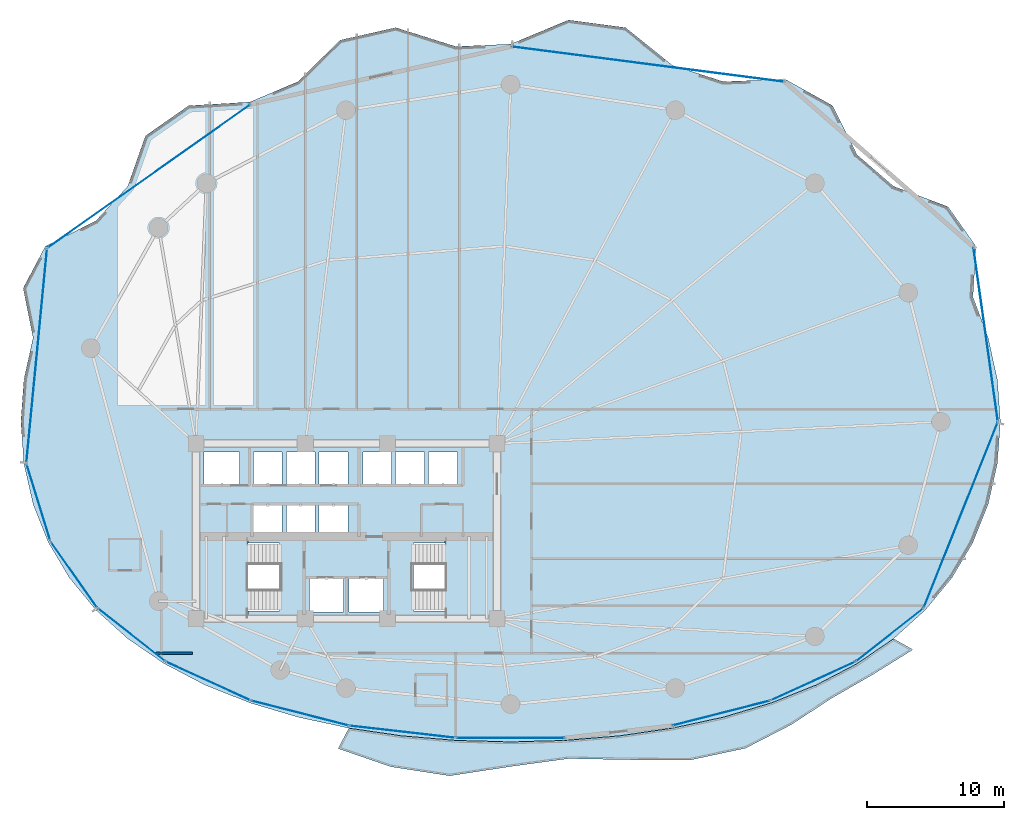
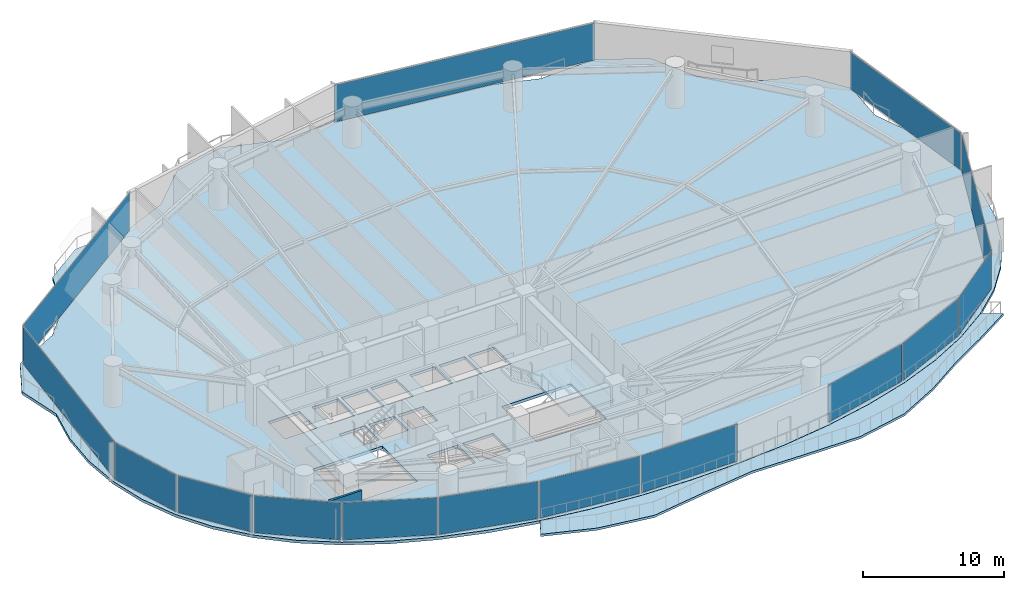
# One storey, part 24 of 31: 15 plates, 4 slabs, 1 wall, 17 elements without a shape of their own.
"""IFC4 building model written with IfcOpenShell, lengths in metres."""

from ifc_helpers import new_model, si_unit, direction, frame, frame_2d, origin, origin_2d, place, context, subcontext, project, spatial, polyline, rectangle, outline, extrude, material, layer, layer_set, type_object, element, aggregate, save


model = new_model("IFC4")

# Units and contexts
model_context = context("Model", 3, precision=1e-05, world=origin(), true_north=direction((0.0, 1.0)))
body_context = subcontext(model_context, "Body", "Model", "MODEL_VIEW")
ifc_project = project(units=[si_unit("LENGTHUNIT", "METRE"), si_unit("AREAUNIT", "SQUARE_METRE"), si_unit("VOLUMEUNIT", "CUBIC_METRE"), si_unit("PLANEANGLEUNIT", "RADIAN"), si_unit("MASSUNIT", "GRAM", prefix="KILO")], contexts=[model_context])

# Site, building, storey
site_placement = place(None, origin())
site = spatial("IfcSite", under=ifc_project, at=site_placement, CompositionType="ELEMENT")
building_placement = place(site_placement, origin())
building = spatial("IfcBuilding", under=site, at=building_placement, Name="Kazevale Care Tower and Concert Hall", CompositionType="ELEMENT")
storey_placement = place(building_placement, frame((0.0, 0.0, 60.0)))
storey = spatial("IfcBuildingStorey", under=building, at=storey_placement, Name="L15", CompositionType="ELEMENT", Elevation=60.0)

# Curtain wall, plate
ifc_material_1 = material(Name="Aluminium 6063-T6 and Low-E Glass", Category="aluminium")
ifc_layer_1 = layer(ifc_material_1, 0.179931640625)
ifc_layer_set_1 = layer_set([ifc_layer_1], Name="Aluminium 6063-T6 and Low-E Glass")
curtain_wall_type_1 = type_object("IfcCurtainWallType", Name="Convex Recessed Sunroom Curtain Wall CW-3", PredefinedType="NOTDEFINED", material=ifc_layer_set_1)
curtain_wall_1_placement = place(storey_placement, origin())
curtain_wall_1 = element("IfcCurtainWall", 1, at=curtain_wall_1_placement, inside=storey, type_object=curtain_wall_type_1, Name="cw:L15:f14", PredefinedType="NOTDEFINED")
ifc_material_2 = material(Name="Low-E Laminated Glass", Category="glass")
ifc_layer_2 = layer(ifc_material_2, 0.028076171875)
ifc_layer_set_2 = layer_set([ifc_layer_2], Name="Low-E Laminated Glass")
plate_type_1 = type_object("IfcPlateType", Name="CW-3 Low-E Glazing Panel 28mm", PredefinedType="CURTAIN_PANEL", material=ifc_layer_set_2)
plate_1_placement = place(storey_placement, frame((18.55810546875, 55.93896484375, 0.074951171875), z_axis=(0.0, 0.0, 1.0), x_axis=(0.816794332821, 0.57692895392, 0.0)))
plate_1 = element("IfcPlate", 2, at=plate_1_placement, type_object=plate_type_1, Name="CW-3 panel 1.1", PredefinedType="CURTAIN_PANEL", context=body_context, shape_type="SweptSolid", body=[
    extrude(rectangle(XDim=18.060302734375, YDim=0.028076171875, at=origin_2d()), origin(), (0.0, 0.0, 1.0), 3.2099609375),
])
aggregate(curtain_wall_1, [plate_1])

curtain_wall_2_placement = place(storey_placement, origin())
curtain_wall_2 = element("IfcCurtainWall", 3, at=curtain_wall_2_placement, inside=storey, type_object=curtain_wall_type_1, Name="cw:L15:f16", PredefinedType="NOTDEFINED")
plate_2_placement = place(storey_placement, frame((55.0400390625, 64.130615234375, 0.074951171875), z_axis=(0.0, 0.0, 1.0), x_axis=(0.991763039368, -0.128086196538, 0.0)))
plate_2 = element("IfcPlate", 4, at=plate_2_placement, type_object=plate_type_1, Name="CW-3 panel 1.1", PredefinedType="CURTAIN_PANEL", context=body_context, shape_type="SweptSolid", body=[
    extrude(rectangle(XDim=20.01611328125, YDim=0.028076171875, at=origin_2d()), origin(), (0.0, 0.0, 1.0), 3.2099609375),
])
aggregate(curtain_wall_2, [plate_2])

ifc_layer_3 = layer(ifc_material_1, 0.179931640625)
ifc_layer_set_3 = layer_set([ifc_layer_3], Name="Aluminium 6063-T6 and Low-E Glass")
curtain_wall_type_2 = type_object("IfcCurtainWallType", Name="Waist & Upper Residential Curtain Wall CW-4", PredefinedType="NOTDEFINED", material=ifc_layer_set_3)
curtain_wall_3_placement = place(storey_placement, origin())
curtain_wall_3 = element("IfcCurtainWall", 5, at=curtain_wall_3_placement, inside=storey, type_object=curtain_wall_type_2, Name="cw:L15:f01", PredefinedType="NOTDEFINED")
ifc_layer_4 = layer(ifc_material_2, 0.030029296875)
ifc_layer_set_4 = layer_set([ifc_layer_4], Name="Low-E Laminated Glass")
plate_type_2 = type_object("IfcPlateType", Name="CW-4 Low-E Glazing Panel 30mm", PredefinedType="CURTAIN_PANEL", material=ifc_layer_set_4)
plate_3_placement = place(storey_placement, frame((77.90087890625, 31.181884765625, 0.080078125), z_axis=(0.0, 0.0, 1.0), x_axis=(-0.370427424456, -0.928861412274, 0.0)))
plate_3 = element("IfcPlate", 6, at=plate_3_placement, type_object=plate_type_2, Name="CW-4 panel 1.1", PredefinedType="CURTAIN_PANEL", context=body_context, shape_type="SweptSolid", body=[
    extrude(rectangle(XDim=14.520263671875, YDim=0.030029296875, at=origin_2d()), origin(), (0.0, 0.0, 1.0), 3.199951171875),
])
aggregate(curtain_wall_3, [plate_3])

curtain_wall_4_placement = place(storey_placement, origin())
curtain_wall_4 = element("IfcCurtainWall", 7, at=curtain_wall_4_placement, inside=storey, type_object=curtain_wall_type_2, Name="cw:L15:f11", PredefinedType="NOTDEFINED")
plate_4_placement = place(storey_placement, frame((13.094482421875, 26.81103515625, 0.080078125), z_axis=(0.0, 0.0, 1.0), x_axis=(-0.575836813322, 0.817564654583, 0.0)))
plate_4 = element("IfcPlate", 8, at=plate_4_placement, type_object=plate_type_2, Name="CW-4 panel 1.1", PredefinedType="CURTAIN_PANEL", context=body_context, shape_type="SweptSolid", body=[
    extrude(rectangle(XDim=5.826171875, YDim=0.030029296875, at=origin_2d()), origin(), (0.0, 0.0, 1.0), 3.199951171875),
])
aggregate(curtain_wall_4, [plate_4])

curtain_wall_5_placement = place(storey_placement, origin())
curtain_wall_5 = element("IfcCurtainWall", 9, at=curtain_wall_5_placement, inside=storey, type_object=curtain_wall_type_2, Name="cw:L15:f12", PredefinedType="NOTDEFINED")
plate_5_placement = place(storey_placement, frame((10.487548828125, 32.10791015625, 0.080078125), z_axis=(0.0, 0.0, 1.0), x_axis=(-0.296098771112, 0.955157326175, 0.0)))
plate_5 = element("IfcPlate", 10, at=plate_5_placement, type_object=plate_type_2, Name="CW-4 panel 1.1", PredefinedType="CURTAIN_PANEL", context=body_context, shape_type="SweptSolid", body=[
    extrude(rectangle(XDim=5.8076171875, YDim=0.030029296875, at=origin_2d()), origin(), (0.0, 0.0, 1.0), 3.199951171875),
])
aggregate(curtain_wall_5, [plate_5])

curtain_wall_6_placement = place(storey_placement, origin())
curtain_wall_6 = element("IfcCurtainWall", 11, at=curtain_wall_6_placement, inside=storey, type_object=curtain_wall_type_2, Name="cw:L15:f13", PredefinedType="NOTDEFINED")
plate_6_placement = place(storey_placement, frame((10.362548828125, 42.822021484375, 0.080078125), z_axis=(0.0, 0.0, 1.0), x_axis=(0.096006644923, 0.995380693067, 0.0)))
plate_6 = element("IfcPlate", 12, at=plate_6_placement, type_object=plate_type_2, Name="CW-4 panel 1.1", PredefinedType="CURTAIN_PANEL", context=body_context, shape_type="SweptSolid", body=[
    extrude(rectangle(XDim=15.640869140625, YDim=0.030029296875, at=origin_2d()), origin(), (0.0, 0.0, 1.0), 3.199951171875),
])
aggregate(curtain_wall_6, [plate_6])

curtain_wall_7_placement = place(storey_placement, origin())
curtain_wall_7 = element("IfcCurtainWall", 13, at=curtain_wall_7_placement, inside=storey, type_object=curtain_wall_type_2, Name="cw:L15:f18", PredefinedType="NOTDEFINED")
plate_7_placement = place(storey_placement, frame((79.72412109375, 44.384521484375, 0.080078125), z_axis=(0.0, 0.0, 1.0), x_axis=(0.138977953775, -0.990295475282, 0.0)))
plate_7 = element("IfcPlate", 14, at=plate_7_placement, type_object=plate_type_2, Name="CW-4 panel 1.1", PredefinedType="CURTAIN_PANEL", context=body_context, shape_type="SweptSolid", body=[
    extrude(rectangle(XDim=12.734130859375, YDim=0.030029296875, at=origin_2d()), origin(), (0.0, 0.0, 1.0), 3.199951171875),
])
aggregate(curtain_wall_7, [plate_7])

ifc_layer_5 = layer(ifc_material_1, 0.179931640625)
ifc_layer_set_5 = layer_set([ifc_layer_5], Name="Aluminium 6063-T6 and Low-E Glass")
curtain_wall_type_3 = type_object("IfcCurtainWallType", Name="Sheltered Concave Balcony Curtain Wall CW-5", PredefinedType="NOTDEFINED", material=ifc_layer_set_5)
curtain_wall_8_placement = place(storey_placement, origin())
curtain_wall_8 = element("IfcCurtainWall", 15, at=curtain_wall_8_placement, inside=storey, type_object=curtain_wall_type_3, Name="cw:L15:f02", PredefinedType="NOTDEFINED")
ifc_layer_6 = layer(ifc_material_2, 0.02587890625)
ifc_layer_set_6 = layer_set([ifc_layer_6], Name="Low-E Laminated Glass")
plate_type_3 = type_object("IfcPlateType", Name="CW-5 Low-E Glazing Panel 26mm", PredefinedType="CURTAIN_PANEL", material=ifc_layer_set_6)
plate_8_placement = place(storey_placement, frame((72.701904296875, 22.41552734375, 0.074951171875), z_axis=(0.0, 0.0, 1.0), x_axis=(-0.78632934107, -0.617807548814, 0.0)))
plate_8 = element("IfcPlate", 16, at=plate_8_placement, type_object=plate_type_3, Name="CW-5 panel 1.1", PredefinedType="CURTAIN_PANEL", context=body_context, shape_type="SweptSolid", body=[
    extrude(rectangle(XDim=6.15771484375, YDim=0.02587890625, at=origin_2d()), origin(), (0.0, 0.0, 1.0), 3.2099609375),
])
aggregate(curtain_wall_8, [plate_8])

curtain_wall_9_placement = place(storey_placement, origin())
curtain_wall_9 = element("IfcCurtainWall", 17, at=curtain_wall_9_placement, inside=storey, type_object=curtain_wall_type_3, Name="cw:L15:f03", PredefinedType="NOTDEFINED")
plate_9_placement = place(storey_placement, frame((67.10498046875, 19.04248046875, 0.074951171875), z_axis=(0.0, 0.0, 1.0), x_axis=(-0.909520179795, -0.415659767773, 0.0)))
plate_9 = element("IfcPlate", 18, at=plate_9_placement, type_object=plate_type_3, Name="CW-5 panel 1.1", PredefinedType="CURTAIN_PANEL", context=body_context, shape_type="SweptSolid", body=[
    extrude(rectangle(XDim=6.7041015625, YDim=0.02587890625, at=origin_2d()), origin(), (0.0, 0.0, 1.0), 3.2099609375),
])
aggregate(curtain_wall_9, [plate_9])

curtain_wall_10_placement = place(storey_placement, origin())
curtain_wall_10 = element("IfcCurtainWall", 19, at=curtain_wall_10_placement, inside=storey, type_object=curtain_wall_type_3, Name="cw:L15:f04", PredefinedType="NOTDEFINED")
plate_10_placement = place(storey_placement, frame((60.389892578125, 16.699951171875, 0.074951171875), z_axis=(0.0, 0.0, 1.0), x_axis=(-0.968958899798, -0.247221864936, 0.0)))
plate_10 = element("IfcPlate", 20, at=plate_10_placement, type_object=plate_type_3, Name="CW-5 panel 1.1", PredefinedType="CURTAIN_PANEL", context=body_context, shape_type="SweptSolid", body=[
    extrude(rectangle(XDim=7.276611328125, YDim=0.02587890625, at=origin_2d()), origin(), (0.0, 0.0, 1.0), 3.2099609375),
])
aggregate(curtain_wall_10, [plate_10])

curtain_wall_11_placement = place(storey_placement, origin())
curtain_wall_11 = element("IfcCurtainWall", 21, at=curtain_wall_11_placement, inside=storey, type_object=curtain_wall_type_3, Name="cw:L15:f06", PredefinedType="NOTDEFINED")
plate_11_placement = place(storey_placement, frame((45.0, 14.889892578125, 0.074951171875), z_axis=(0.0, 0.0, 1.0), x_axis=(-1.0, 0.0, 0.0)))
plate_11 = element("IfcPlate", 22, at=plate_11_placement, type_object=plate_type_3, Name="CW-5 panel 1.1", PredefinedType="CURTAIN_PANEL", context=body_context, shape_type="SweptSolid", body=[
    extrude(rectangle(XDim=7.845947265625, YDim=0.02587890625, at=origin_2d()), origin(), (0.0, 0.0, 1.0), 3.2099609375),
])
aggregate(curtain_wall_11, [plate_11])

curtain_wall_12_placement = place(storey_placement, origin())
curtain_wall_12 = element("IfcCurtainWall", 23, at=curtain_wall_12_placement, inside=storey, type_object=curtain_wall_type_3, Name="cw:L15:f07", PredefinedType="NOTDEFINED")
plate_12_placement = place(storey_placement, frame((37.10498046875, 15.3359375, 0.074951171875), z_axis=(0.0, 0.0, 1.0), x_axis=(-0.993514581883, 0.113704773808, 0.0)))
plate_12 = element("IfcPlate", 24, at=plate_12_placement, type_object=plate_type_3, Name="CW-5 panel 1.1", PredefinedType="CURTAIN_PANEL", context=body_context, shape_type="SweptSolid", body=[
    extrude(rectangle(XDim=7.69482421875, YDim=0.02587890625, at=origin_2d()), origin(), (0.0, 0.0, 1.0), 3.2099609375),
])
aggregate(curtain_wall_12, [plate_12])

curtain_wall_13_placement = place(storey_placement, origin())
curtain_wall_13 = element("IfcCurtainWall", 25, at=curtain_wall_13_placement, inside=storey, type_object=curtain_wall_type_3, Name="cw:L15:f08", PredefinedType="NOTDEFINED")
plate_13_placement = place(storey_placement, frame((29.610107421875, 16.699951171875, 0.074951171875), z_axis=(0.0, 0.0, 1.0), x_axis=(-0.968958899798, 0.247221864936, 0.0)))
plate_13 = element("IfcPlate", 26, at=plate_13_placement, type_object=plate_type_3, Name="CW-5 panel 1.1", PredefinedType="CURTAIN_PANEL", context=body_context, shape_type="SweptSolid", body=[
    extrude(rectangle(XDim=7.276611328125, YDim=0.02587890625, at=origin_2d()), origin(), (0.0, 0.0, 1.0), 3.2099609375),
])
aggregate(curtain_wall_13, [plate_13])

curtain_wall_14_placement = place(storey_placement, origin())
curtain_wall_14 = element("IfcCurtainWall", 27, at=curtain_wall_14_placement, inside=storey, type_object=curtain_wall_type_3, Name="cw:L15:f09", PredefinedType="NOTDEFINED")
plate_14_placement = place(storey_placement, frame((22.89501953125, 19.04248046875, 0.074951171875), z_axis=(0.0, 0.0, 1.0), x_axis=(-0.909520179795, 0.415659767773, 0.0)))
plate_14 = element("IfcPlate", 28, at=plate_14_placement, type_object=plate_type_3, Name="CW-5 panel 1.1", PredefinedType="CURTAIN_PANEL", context=body_context, shape_type="SweptSolid", body=[
    extrude(rectangle(XDim=6.7041015625, YDim=0.02587890625, at=origin_2d()), origin(), (0.0, 0.0, 1.0), 3.2099609375),
])
aggregate(curtain_wall_14, [plate_14])

curtain_wall_15_placement = place(storey_placement, origin())
curtain_wall_15 = element("IfcCurtainWall", 29, at=curtain_wall_15_placement, inside=storey, type_object=curtain_wall_type_3, Name="cw:L15:f10", PredefinedType="NOTDEFINED")
plate_15_placement = place(storey_placement, frame((17.298095703125, 22.41552734375, 0.074951171875), z_axis=(0.0, 0.0, 1.0), x_axis=(-0.78632934107, 0.617807548814, 0.0)))
plate_15 = element("IfcPlate", 30, at=plate_15_placement, type_object=plate_type_3, Name="CW-5 panel 1.1", PredefinedType="CURTAIN_PANEL", context=body_context, shape_type="SweptSolid", body=[
    extrude(rectangle(XDim=6.15771484375, YDim=0.02587890625, at=origin_2d()), origin(), (0.0, 0.0, 1.0), 3.2099609375),
])
aggregate(curtain_wall_15, [plate_15])

# Slab
ifc_material_3 = material(Name="Concrete C40", Category="concrete")
ifc_layer_7 = layer(ifc_material_3, 0.199951171875)
ifc_layer_set_7 = layer_set([ifc_layer_7], Name="Concrete C40")
slab_type_1 = type_object("IfcSlabType", Name="Sinusoidal Concave Balcony Slab 200", PredefinedType="USERDEFINED", material=ifc_layer_set_7)
slab_1_placement = place(storey_placement, frame((0.0, 0.0, -0.199951171875)))
element("IfcSlab", 31, at=slab_1_placement, inside=storey, type_object=slab_type_1, Name="slab:L15:bal", ObjectType="BALCONY", PredefinedType="USERDEFINED", context=body_context, shape_type="SweptSolid", body=[
    extrude(outline(polyline([(74.402099609375, 21.343017578125), (71.4580078125, 19.512939453125), (68.442626953125, 17.780517578125), (65.516845703125, 15.861328125), (62.164306640625, 14.135498046875), (58.06201171875, 13.260498046875), (53.572509765625, 13.29638671875), (49.2373046875, 13.37939453125), (45.0, 12.801025390625), (40.54541015625, 12.117431640625), (36.2490234375, 12.7822265625), (32.38818359375, 14.11279296875), (33.173583984375, 15.6005859375), (33.175048828125, 15.600341796875), (37.033203125, 15.038818359375), (40.991455078125, 14.705322265625), (45.0, 14.594970703125), (49.008544921875, 14.705322265625), (52.966796875, 15.038818359375), (56.824951171875, 15.600341796875), (60.5341796875, 16.3984375), (64.04833984375, 17.443115234375), (67.322998046875, 18.743408203125), (70.31689453125, 20.3076171875), (72.99267578125, 22.139404296875), (72.994140625, 22.140625), (74.402099609375, 21.343017578125)])), origin(), (0.0, 0.0, 1.0), 0.199951171875),
])

# Stair, slab
stair_type = type_object("IfcStairType", Name="Exit Stair Assembly ST1-Z1", PredefinedType="HALF_TURN_STAIR", material=ifc_material_3)
stair_1_placement = place(storey_placement, origin())
stair_1 = element("IfcStair", 32, at=stair_1_placement, inside=storey, type_object=stair_type, Name="stair:L15:ST1", PredefinedType="HALF_TURN_STAIR")
ifc_layer_8 = layer(ifc_material_3, 0.199951171875)
ifc_layer_set_8 = layer_set([ifc_layer_8], Name="Concrete C40")
slab_type_2 = type_object("IfcSlabType", Name="Stair Half-Landing Slab ST1-Z1", PredefinedType="LANDING", material=ifc_layer_set_8)
slab_2_placement = place(storey_placement, frame((0.0, 0.0, 1.60009765625)))
slab_2 = element("IfcSlab", 33, at=slab_2_placement, type_object=slab_type_2, Name="ST1-Z1 landing 1", PredefinedType="LANDING", context=body_context, shape_type="SweptSolid", body=[
    extrude(outline(polyline([(22.050048828125, 23.699951171875), (25.81005859375, 23.699951171875), (25.81005859375, 29.5), (22.050048828125, 29.5), (22.050048828125, 23.699951171875)])), origin(), (0.0, 0.0, 1.0), 0.199951171875),
])
aggregate(stair_1, [slab_2])

stair_2_placement = place(storey_placement, origin())
stair_2 = element("IfcStair", 34, at=stair_2_placement, inside=storey, type_object=stair_type, Name="stair:L15:ST2", PredefinedType="HALF_TURN_STAIR")
slab_3_placement = place(storey_placement, frame((0.0, 0.0, 1.60009765625)))
slab_3 = element("IfcSlab", 35, at=slab_3_placement, type_object=slab_type_2, Name="ST1-Z1 landing 1", PredefinedType="LANDING", context=body_context, shape_type="SweptSolid", body=[
    extrude(outline(polyline([(40.18994140625, 23.699951171875), (43.949951171875, 23.699951171875), (43.949951171875, 29.5), (40.18994140625, 29.5), (40.18994140625, 23.699951171875)])), origin(), (0.0, 0.0, 1.0), 0.199951171875),
])
aggregate(stair_2, [slab_3])

# Slab
ifc_layer_9 = layer(ifc_material_3, 0.239990234375)
ifc_layer_set_9 = layer_set([ifc_layer_9], Name="Concrete C40")
slab_type_3 = type_object("IfcSlabType", Name="Tower Typical Floor Slab 240", PredefinedType="FLOOR", material=ifc_layer_set_9)
slab_4_placement = place(storey_placement, frame((0.0, 0.0, -0.239990234375)))
element("IfcSlab", 36, at=slab_4_placement, inside=storey, type_object=slab_type_3, Name="slab:L15:tw:1", PredefinedType="FLOOR", context=body_context, shape_type="SweptSolid", body=[
    extrude(outline(polyline([(80.800048828125, 38.0), (80.574951171875, 41.090087890625), (79.90234375, 44.1416015625), (78.791015625, 47.11572265625), (79.01171875, 50.8212890625), (76.9638671875, 53.721435546875), (72.989501953125, 55.208251953125), (70.314453125, 57.51611328125), (68.53662109375, 61.10302734375), (65.084228515625, 63.020751953125), (60.532958984375, 62.86669921875), (56.823974609375, 64.05126953125), (53.400146484375, 66.80908203125), (49.226806640625, 67.3642578125), (45.0, 65.60009765625), (40.99169921875, 65.426513671875), (36.599853515625, 66.80908203125), (32.531982421875, 65.891845703125), (29.467041015625, 62.86669921875), (25.953369140625, 61.36962890625), (21.46337890625, 61.10302734375), (18.306640625, 58.89501953125), (17.010498046875, 55.208251953125), (14.687255859375, 52.68408203125), (10.98828125, 50.8212890625), (9.368408203125, 47.759765625), (10.09765625, 44.1416015625), (9.425048828125, 41.090087890625), (9.199951171875, 38.0), (9.425048828125, 34.931640625), (10.09765625, 31.972412109375), (11.208984375, 29.178466796875), (12.745361328125, 26.591064453125), (14.687255859375, 24.239501953125), (17.010498046875, 22.143310546875), (19.685546875, 20.31201171875), (22.67919921875, 18.748046875), (25.953369140625, 17.44775390625), (29.467041015625, 16.4033203125), (33.176025390625, 15.605224609375), (37.03369140625, 15.043701171875), (40.99169921875, 14.71044921875), (45.0, 14.60009765625), (49.00830078125, 14.71044921875), (52.96630859375, 15.043701171875), (56.823974609375, 15.605224609375), (60.532958984375, 16.4033203125), (64.046630859375, 17.44775390625), (67.32080078125, 18.748046875), (70.314453125, 20.31201171875), (72.989501953125, 22.143310546875), (75.312744140625, 24.239501953125), (77.254638671875, 26.591064453125), (78.791015625, 29.178466796875), (79.90234375, 31.972412109375), (80.574951171875, 34.931640625), (80.800048828125, 38.0)]), holes=[polyline([(22.449951171875, 24.14990234375), (28.110107421875, 24.14990234375), (28.110107421875, 29.14990234375), (22.449951171875, 29.14990234375), (22.449951171875, 24.14990234375)]), polyline([(37.889892578125, 24.14990234375), (43.550048828125, 24.14990234375), (43.550048828125, 29.14990234375), (37.889892578125, 29.14990234375), (37.889892578125, 24.14990234375)]), polyline([(30.300048828125, 24.10009765625), (32.800048828125, 24.10009765625), (32.800048828125, 26.60009765625), (30.300048828125, 26.60009765625), (30.300048828125, 24.10009765625)]), polyline([(33.199951171875, 24.10009765625), (35.699951171875, 24.10009765625), (35.699951171875, 26.60009765625), (33.199951171875, 26.60009765625), (33.199951171875, 24.10009765625)]), polyline([(22.60009765625, 33.39990234375), (25.199951171875, 33.39990234375), (25.199951171875, 35.800048828125), (22.60009765625, 35.800048828125), (22.60009765625, 33.39990234375)]), polyline([(26.199951171875, 33.39990234375), (28.300048828125, 33.39990234375), (28.300048828125, 35.800048828125), (26.199951171875, 35.800048828125), (26.199951171875, 33.39990234375)]), polyline([(28.60009765625, 33.39990234375), (30.699951171875, 33.39990234375), (30.699951171875, 35.800048828125), (28.60009765625, 35.800048828125), (28.60009765625, 33.39990234375)]), polyline([(31.0, 33.39990234375), (33.10009765625, 33.39990234375), (33.10009765625, 35.800048828125), (31.0, 35.800048828125), (31.0, 33.39990234375)]), polyline([(34.199951171875, 33.39990234375), (36.300048828125, 33.39990234375), (36.300048828125, 35.800048828125), (34.199951171875, 35.800048828125), (34.199951171875, 33.39990234375)]), polyline([(36.60009765625, 33.39990234375), (38.699951171875, 33.39990234375), (38.699951171875, 35.800048828125), (36.60009765625, 35.800048828125), (36.60009765625, 33.39990234375)]), polyline([(39.0, 33.39990234375), (41.10009765625, 33.39990234375), (41.10009765625, 35.800048828125), (39.0, 35.800048828125), (39.0, 33.39990234375)]), polyline([(26.199951171875, 29.949951171875), (28.300048828125, 29.949951171875), (28.300048828125, 31.949951171875), (26.199951171875, 31.949951171875), (26.199951171875, 29.949951171875)]), polyline([(28.60009765625, 29.949951171875), (30.699951171875, 29.949951171875), (30.699951171875, 31.949951171875), (28.60009765625, 31.949951171875), (28.60009765625, 29.949951171875)]), polyline([(31.0, 29.949951171875), (33.10009765625, 29.949951171875), (33.10009765625, 31.949951171875), (31.0, 31.949951171875), (31.0, 29.949951171875)])]), origin(), (0.0, 0.0, 1.0), 0.239990234375),
])

# Wall
ifc_material_4 = material(Name="Concrete C40 and Acoustic Gypsum", Category="concrete")
ifc_layer_10 = layer(ifc_material_4, 0.179931640625)
ifc_layer_set_10 = layer_set([ifc_layer_10], Name="Concrete C40 and Acoustic Gypsum")
wall_type = type_object("IfcWallType", Name="Fire-Rated Corridor & Party Wall 180", PredefinedType="PARTITIONING", material=ifc_layer_set_10)
wall_placement = place(storey_placement, frame((21.739990234375, 21.074951171875, 0.0), z_axis=(0.0, 0.0, 1.0), x_axis=(-1.0, 0.0, 0.0)))
element("IfcWall", 37, at=wall_placement, inside=storey, type_object=wall_type, Name="wall:L15:auto_015", PredefinedType="PARTITIONING", context=body_context, shape_type="SweptSolid", body=[
    extrude(rectangle(XDim=2.64501953125, YDim=0.179931640625, at=frame_2d((1.322509765625, 0.0))), origin(), (0.0, 0.0, 1.0), 3.360107421875),
])

save(model, "model.ifc")
